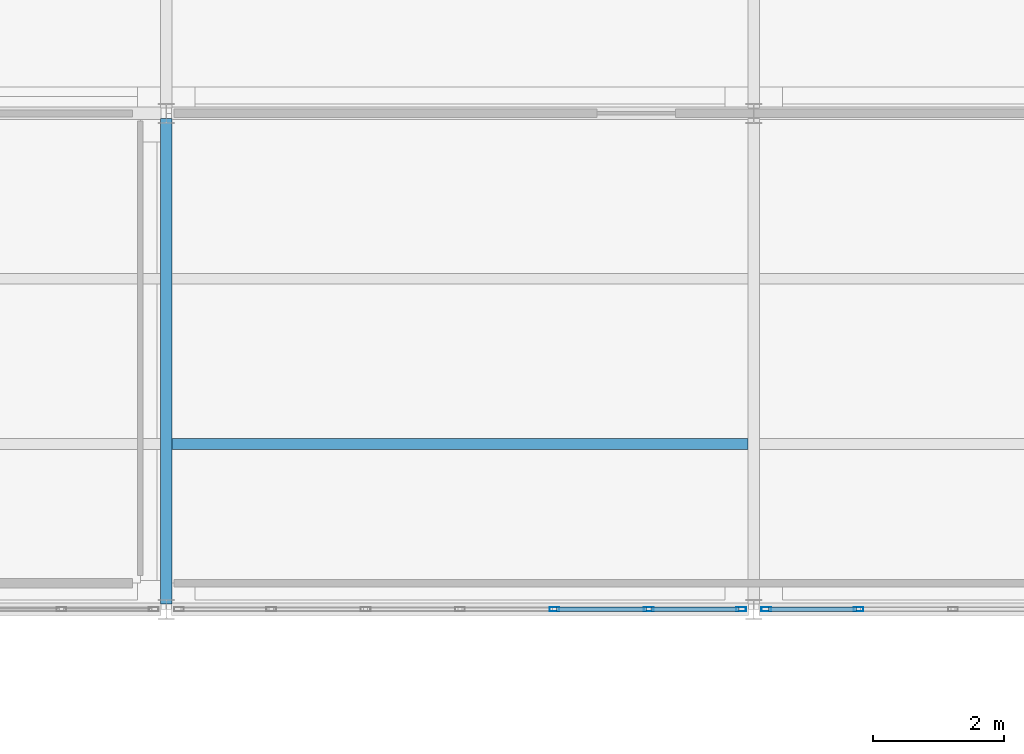
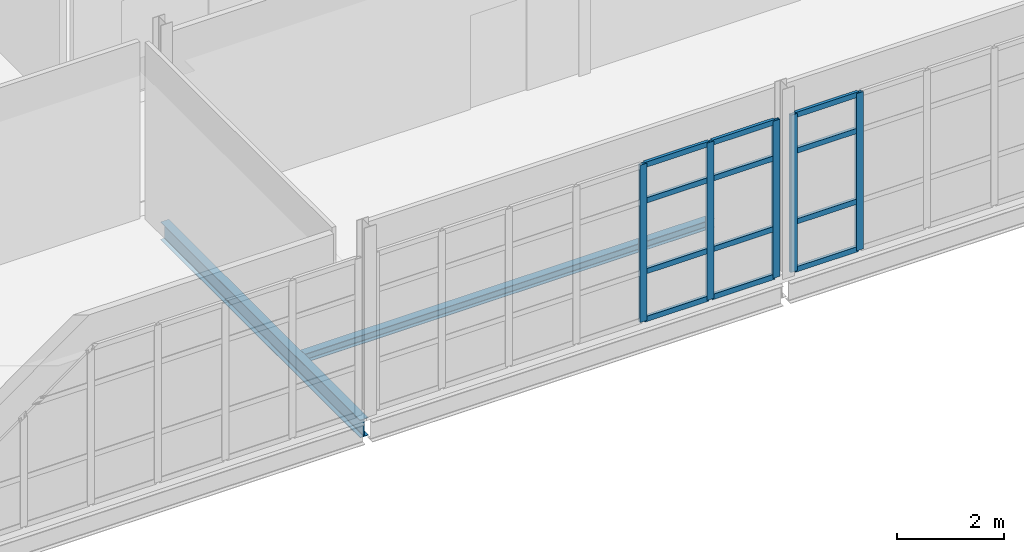
# One storey, part 68 of 174: 17 members, 2 beams, 2 elements without a shape of their own.
"""IFC4 building model written with IfcOpenShell, lengths in metres."""

import ifcopenshell
import ifcopenshell.guid

model = None  # the IFC model being written
_history = None  # IfcOwnerHistory: only IFC2X3 demands one
_inside = {}  # id of a spatial element -> (the spatial element, [elements in it])
_under = {}  # id of a project, library or spatial element -> (it, [spatial elements below it])
_declared = {}  # id of a project -> (the project, [libraries it declares])
_typed = {}  # id of a type object -> (the type object, [elements of that type])
_made_of = {}  # id of a material, layer set ... -> (it, [elements and type objects made of it])


def new_model(schema):
    """Start an empty IFC model of exactly this schema.

    Asked for "IFC4X3", IfcOpenShell would pick the latest addendum, in which some entities
    have other attributes; the version numbers below select the first issue.
    IFC2X3 requires an IfcOwnerHistory on every rooted entity: one is made here for all.
    """
    global model, _history
    if schema == "IFC4X3":
        model = ifcopenshell.file(schema_version=(4, 3, 0, 0))
    else:
        model = ifcopenshell.file(schema=schema)
    _inside.clear()
    _under.clear()
    _declared.clear()
    _typed.clear()
    _made_of.clear()
    _history = None
    if model.schema == "IFC2X3":
        org = make("IfcOrganization", Name="unknown")
        user = make(
            "IfcPersonAndOrganization",
            ThePerson=make("IfcPerson", FamilyName="unknown"),
            TheOrganization=org,
        )
        app = make(
            "IfcApplication",
            ApplicationDeveloper=org,
            Version="unknown",
            ApplicationFullName="unknown",
            ApplicationIdentifier="unknown",
        )
        _history = make(
            "IfcOwnerHistory",
            OwningUser=user,
            OwningApplication=app,
            ChangeAction="ADDED",
            CreationDate=0,
        )
    return model


def make(cls, **values):
    """One entity of the class cls with the attributes given. An attribute that is None is left unset."""
    return model.create_entity(
        cls, **{name: value for name, value in values.items() if value is not None}
    )


def rooted(cls, **values):
    """An entity with a GlobalId (a new one), such as an element, a storey or a relation."""
    return make(cls, GlobalId=ifcopenshell.guid.new(), OwnerHistory=_history, **values)


def si_unit(unit_type, name, prefix=None):
    """IfcSIUnit, for example si_unit("LENGTHUNIT", "METRE", prefix="MILLI")."""
    return make("IfcSIUnit", UnitType=unit_type, Prefix=prefix, Name=name)


def assignment(units):
    """IfcUnitAssignment: the units of a project."""
    return None if units is None else make("IfcUnitAssignment", Units=units)


def point(xyz):
    """IfcCartesianPoint."""
    return None if xyz is None else make("IfcCartesianPoint", Coordinates=xyz)


def direction(xyz):
    """IfcDirection."""
    return None if xyz is None else make("IfcDirection", DirectionRatios=xyz)


def frame(location, z_axis=None, x_axis=None):
    """IfcAxis2Placement3D, a coordinate frame: its origin and axes. An axis left out is left unset."""
    return make(
        "IfcAxis2Placement3D",
        Location=point(location),
        Axis=direction(z_axis),
        RefDirection=direction(x_axis),
    )


def frame_2d(location, x_axis=None):
    """IfcAxis2Placement2D, a coordinate frame in the plane: its origin and x axis."""
    return make(
        "IfcAxis2Placement2D", Location=point(location), RefDirection=direction(x_axis)
    )


def origin():
    """The frame at (0, 0, 0) with its axes left unset."""
    return frame((0.0, 0.0, 0.0))


def origin_2d():
    """The frame at (0, 0) in the plane with its x axis left unset."""
    return frame_2d((0.0, 0.0))


def place(relative_to, where):
    """IfcLocalPlacement: puts the frame where relative to a parent placement (None: the world)."""
    return make(
        "IfcLocalPlacement", PlacementRelTo=relative_to, RelativePlacement=where
    )


def context(
    kind, dimensions, precision=None, world=None, true_north=None, identifier=None
):
    """IfcGeometricRepresentationContext, for example the 3D "Model" context."""
    return make(
        "IfcGeometricRepresentationContext",
        ContextIdentifier=identifier,
        ContextType=kind,
        CoordinateSpaceDimension=dimensions,
        Precision=precision,
        WorldCoordinateSystem=world,
        TrueNorth=true_north,
    )


def subcontext(parent, identifier, kind, view, scale=None):
    """IfcGeometricRepresentationSubContext, for example "Body" below "Model"."""
    return make(
        "IfcGeometricRepresentationSubContext",
        ContextIdentifier=identifier,
        ContextType=kind,
        ParentContext=parent,
        TargetScale=scale,
        TargetView=view,
    )


def project(units=None, contexts=None):
    """IfcProject with its units and contexts."""
    return rooted(
        "IfcProject",
        Name="project",
        RepresentationContexts=contexts,
        UnitsInContext=assignment(units),
    )


def spatial(cls, under=None, at=None, **own):
    """A site, building, storey or space (cls), placed at a placement, below another one or the project."""
    s = rooted(cls, ObjectPlacement=at, **own)
    if under is not None:
        _under.setdefault(under.id(), (under, []))[1].append(s)
    return s


def profile(cls, at=None, kind="AREA", **sizes):
    """A parametric profile (cls). Its sizes go by their IFC names, for example OverallWidth=200.0."""
    return make(cls, ProfileType=kind, Position=at, **sizes)


def hollow_rectangle(**sizes):
    """IfcRectangleHollowProfileDef."""
    return profile("IfcRectangleHollowProfileDef", **sizes)


def i_section(**sizes):
    """IfcIShapeProfileDef."""
    return profile("IfcIShapeProfileDef", **sizes)


def extrude(swept, where, along, depth):
    """IfcExtrudedAreaSolid: the profile swept, set in the frame where, extruded along a direction by depth."""
    return make(
        "IfcExtrudedAreaSolid",
        SweptArea=swept,
        Position=where,
        ExtrudedDirection=direction(along),
        Depth=depth,
    )


def shape(context_of_items, identifier, shape_type, items):
    """IfcShapeRepresentation: the items that make up one representation, for example the "Body"."""
    return make(
        "IfcShapeRepresentation",
        ContextOfItems=context_of_items,
        RepresentationIdentifier=identifier,
        RepresentationType=shape_type,
        Items=items,
    )


def material(Name=None, Category=None):
    """IfcMaterial."""
    return make("IfcMaterial", Name=Name, Category=Category)


def material_profile(
    of_material, cross_section, Name=None, Category=None, Priority=None
):
    """IfcMaterialProfile: a cross section and its material."""
    return make(
        "IfcMaterialProfile",
        Name=Name,
        Material=of_material,
        Profile=cross_section,
        Priority=Priority,
        Category=Category,
    )


def profile_set(profiles, Name=None, composite=None):
    """IfcMaterialProfileSet."""
    return make(
        "IfcMaterialProfileSet",
        Name=Name,
        MaterialProfiles=profiles,
        CompositeProfile=composite,
    )


def made_of(thing, what):
    """Note that an element or type object is made of a material, layer set ...; save() writes the relation."""
    if what is not None:
        _made_of.setdefault(what.id(), (what, []))[1].append(thing)
    return thing


def type_object(cls, material=None, **own):
    """A type object (cls), such as IfcWallType, which elements share."""
    return made_of(rooted(cls, **own), material)


def element(
    cls,
    number,
    at=None,
    inside=None,
    cuts=None,
    type_object=None,
    material=None,
    context=None,
    identifier="Body",
    shape_type=None,
    held_by="IfcProductDefinitionShape",
    body=None,
    shapes=None,
    **own,
):
    """One element of the class cls, such as IfcWall. Its Tag is "e" and its number.

    at: its placement. inside: the storey or other place that contains it. cuts: it is an
    opening in that element (IfcRelVoidsElement). A single representation is given by context,
    identifier, shape_type and body (its items); several are given by shapes. held_by: the class
    of the entity that holds the representations. save() writes the other relations.
    """
    e = rooted(cls, Tag="e%d" % number, ObjectPlacement=at, **own)
    if body is not None:
        shapes = [shape(context, identifier, shape_type, body)]
    if shapes is not None:
        e.Representation = make(held_by, Representations=shapes)
    if inside is not None:
        _inside.setdefault(inside.id(), (inside, []))[1].append(e)
    if cuts is not None:
        rooted(
            "IfcRelVoidsElement", RelatingBuildingElement=cuts, RelatedOpeningElement=e
        )
    if type_object is not None:
        _typed.setdefault(type_object.id(), (type_object, []))[1].append(e)
    return made_of(e, material)


def aggregate(whole, parts):
    """IfcRelAggregates: a whole, such as a stair, and the parts it consists of."""
    return rooted("IfcRelAggregates", RelatingObject=whole, RelatedObjects=parts)


def save(model, path):
    """Write the relations noted so far, then the file.

    IfcRelAggregates (storeys below a building ...), IfcRelContainedInSpatialStructure (elements
    in a storey), IfcRelDefinesByType, IfcRelAssociatesMaterial and IfcRelDeclares: one each for
    every whole, place, type object, material and project.
    """
    for whole, parts in _under.values():
        aggregate(whole, parts)
    for where, things in _inside.values():
        rooted(
            "IfcRelContainedInSpatialStructure",
            RelatedElements=things,
            RelatingStructure=where,
        )
    for kind, things in _typed.values():
        rooted("IfcRelDefinesByType", RelatedObjects=things, RelatingType=kind)
    for what, things in _made_of.values():
        rooted("IfcRelAssociatesMaterial", RelatedObjects=things, RelatingMaterial=what)
    for by, libraries in _declared.values():
        rooted("IfcRelDeclares", RelatingContext=by, RelatedDefinitions=libraries)
    model.write(path)


model = new_model("IFC4")

# Units and contexts
model_context = context("Model", 3, precision=1e-05, world=origin(), true_north=direction((0.0, 1.0)))
body_context = subcontext(model_context, "Body", "Model", "MODEL_VIEW")
ifc_project = project(units=[si_unit("LENGTHUNIT", "METRE"), si_unit("AREAUNIT", "SQUARE_METRE"), si_unit("VOLUMEUNIT", "CUBIC_METRE"), si_unit("PLANEANGLEUNIT", "RADIAN"), si_unit("MASSUNIT", "GRAM", prefix="KILO")], contexts=[model_context])

# Site, building, storey
site_placement = place(None, origin())
site = spatial("IfcSite", under=ifc_project, at=site_placement, CompositionType="ELEMENT")
building_placement = place(site_placement, origin())
building = spatial("IfcBuilding", under=site, at=building_placement, Name="Caisbarro Railhouse Central Library", CompositionType="ELEMENT")
storey_placement = place(building_placement, frame((0.0, 0.0, 5.0400390625)))
storey = spatial("IfcBuildingStorey", under=building, at=storey_placement, Name="L01", CompositionType="ELEMENT", Elevation=5.0400390625)

# Beams
ifc_material_1 = material(Name="Steel ASTM A572 Grade 50", Category="steel")
ifc_material_profile_1 = material_profile(ifc_material_1, i_section(OverallWidth=0.177978515625, OverallDepth=0.406982421875, WebThickness=0.0078125, FlangeThickness=0.0126953125, FilletRadius=0.01611328125, at=origin_2d()), Name="W410X60.0")
ifc_profile_set_1 = profile_set([ifc_material_profile_1], Name="Steel ASTM A572 Grade 50")
beam_type_1 = type_object("IfcBeamType", Name="BM-G10", PredefinedType="BEAM", material=ifc_profile_set_1)
beam_1_placement = place(storey_placement, frame((18.0, 83.679931640625, -0.403564453125), z_axis=(0.0, 1.0, 0.0), x_axis=(-1.0, 0.0, 0.0)))
element("IfcBeam", 1, at=beam_1_placement, inside=storey, type_object=beam_type_1, Name="G10 beam L01 #1030", PredefinedType="BEAM", context=body_context, shape_type="SweptSolid", body=[
    extrude(i_section(OverallWidth=0.177978515625, OverallDepth=0.406982421875, WebThickness=0.0078125, FlangeThickness=0.0126953125, FilletRadius=0.01611328125, at=origin_2d()), origin(), (0.0, 0.0, 1.0), 7.440185546875),
])
ifc_material_profile_2 = material_profile(ifc_material_1, i_section(OverallWidth=0.1650390625, OverallDepth=0.200927734375, WebThickness=0.006103515625, FlangeThickness=0.01025390625, FilletRadius=0.010009765625, at=origin_2d()), Name="W200X35.9")
ifc_profile_set_2 = profile_set([ifc_material_profile_2], Name="Steel ASTM A572 Grade 50")
beam_type_2 = type_object("IfcBeamType", Name="BM-J06", PredefinedType="JOIST", material=ifc_profile_set_2)
beam_2_placement = place(storey_placement, frame((18.089111328125, 86.13330078125, -0.300537109375), z_axis=(1.0, 0.0, 0.0), x_axis=(0.0, 1.0, 0.0)))
element("IfcBeam", 2, at=beam_2_placement, inside=storey, type_object=beam_type_2, Name="J06 beam L01 #1047", PredefinedType="JOIST", context=body_context, shape_type="SweptSolid", body=[
    extrude(i_section(OverallWidth=0.1650390625, OverallDepth=0.200927734375, WebThickness=0.006103515625, FlangeThickness=0.01025390625, FilletRadius=0.010009765625, at=origin_2d()), origin(), (0.0, 0.0, 1.0), 8.82177734375),
])

# Curtain wall, members
ifc_material_2 = material(Name="Anodised architectural aluminium", Category="aluminium")
curtain_wall_type = type_object("IfcCurtainWallType", Name="CW-CW02", PredefinedType="NOTDEFINED", material=ifc_material_2)
curtain_wall_1_placement = place(storey_placement, origin())
curtain_wall_1 = element("IfcCurtainWall", 3, at=curtain_wall_1_placement, inside=storey, type_object=curtain_wall_type, Name="CW02 curtain wall L01 #81", PredefinedType="NOTDEFINED")
ifc_material_profile_3 = material_profile(ifc_material_2, hollow_rectangle(XDim=0.06494140625, YDim=0.14990234375, WallThickness=0.00390625, at=origin_2d()), Name="ALU-MUL-65X150")
ifc_profile_set_3 = profile_set([ifc_material_profile_3], Name="Anodised architectural aluminium")
member_type_1 = type_object("IfcMemberType", Name="CWM-M02", PredefinedType="MULLION", material=ifc_profile_set_3)
member_1_placement = place(storey_placement, frame((23.94677734375, 83.60009765625, 0.0), z_axis=(0.0, 0.0, 1.0), x_axis=(0.0, 1.0, 0.0)))
member_1 = element("IfcMember", 4, at=member_1_placement, type_object=member_type_1, Name="CW02 mullion 5", PredefinedType="MULLION", context=body_context, shape_type="SweptSolid", body=[
    extrude(hollow_rectangle(XDim=0.06494140625, YDim=0.14990234375, WallThickness=0.00390625, at=origin_2d()), origin(), (0.0, 0.0, 1.0), 3.580078125),
])
member_2_placement = place(storey_placement, frame((25.393310546875, 83.60009765625, 0.0), z_axis=(0.0, 0.0, 1.0), x_axis=(0.0, 1.0, 0.0)))
member_2 = element("IfcMember", 5, at=member_2_placement, type_object=member_type_1, Name="CW02 mullion 6", PredefinedType="MULLION", context=body_context, shape_type="SweptSolid", body=[
    extrude(hollow_rectangle(XDim=0.06494140625, YDim=0.14990234375, WallThickness=0.00390625, at=origin_2d()), origin(), (0.0, 0.0, 1.0), 3.580078125),
])
member_3_placement = place(storey_placement, frame((26.8076171875, 83.60009765625, 0.0), z_axis=(0.0, 0.0, 1.0), x_axis=(0.0, 1.0, 0.0)))
member_3 = element("IfcMember", 6, at=member_3_placement, type_object=member_type_1, Name="CW02 mullion 7", PredefinedType="MULLION", context=body_context, shape_type="SweptSolid", body=[
    extrude(hollow_rectangle(XDim=0.06494140625, YDim=0.14990234375, WallThickness=0.00390625, at=origin_2d()), origin(), (0.0, 0.0, 1.0), 3.580078125),
])

curtain_wall_2_placement = place(storey_placement, origin())
curtain_wall_2 = element("IfcCurtainWall", 7, at=curtain_wall_2_placement, inside=storey, type_object=curtain_wall_type, Name="CW02 curtain wall L01 #82", PredefinedType="NOTDEFINED")
member_4_placement = place(storey_placement, frame((27.1923828125, 83.60009765625, 0.0), z_axis=(0.0, 0.0, 1.0), x_axis=(0.0, 1.0, 0.0)))
member_4 = element("IfcMember", 8, at=member_4_placement, type_object=member_type_1, Name="CW02 mullion 1", PredefinedType="MULLION", context=body_context, shape_type="SweptSolid", body=[
    extrude(hollow_rectangle(XDim=0.06494140625, YDim=0.14990234375, WallThickness=0.00390625, at=origin_2d()), origin(), (0.0, 0.0, 1.0), 3.580078125),
])
member_5_placement = place(storey_placement, frame((28.606689453125, 83.60009765625, 0.0), z_axis=(0.0, 0.0, 1.0), x_axis=(0.0, 1.0, 0.0)))
member_5 = element("IfcMember", 9, at=member_5_placement, type_object=member_type_1, Name="CW02 mullion 2", PredefinedType="MULLION", context=body_context, shape_type="SweptSolid", body=[
    extrude(hollow_rectangle(XDim=0.06494140625, YDim=0.14990234375, WallThickness=0.00390625, at=origin_2d()), origin(), (0.0, 0.0, 1.0), 3.580078125),
])

# Member
ifc_material_profile_4 = material_profile(ifc_material_2, hollow_rectangle(XDim=0.06494140625, YDim=0.1201171875, WallThickness=0.00341796875, at=origin_2d()), Name="ALU-TRN-65X120")
ifc_profile_set_4 = profile_set([ifc_material_profile_4], Name="Anodised architectural aluminium")
member_type_2 = type_object("IfcMemberType", Name="CWT-T02", PredefinedType="USERDEFINED", material=ifc_profile_set_4)
member_6_placement = place(storey_placement, frame((23.979248046875, 83.60009765625, 0.032470703125), z_axis=(1.0, 0.0, 0.0), x_axis=(0.0, 1.0, 0.0)))
member_6 = element("IfcMember", 10, at=member_6_placement, type_object=member_type_2, Name="CW02 transom 5.1", ObjectType="TRANSOM", PredefinedType="USERDEFINED", context=body_context, shape_type="SweptSolid", body=[
    extrude(hollow_rectangle(XDim=0.06494140625, YDim=0.1201171875, WallThickness=0.00341796875, at=origin_2d()), origin(), (0.0, 0.0, 1.0), 1.381591796875),
])

member_7_placement = place(storey_placement, frame((23.979248046875, 83.60009765625, 1.119873046875), z_axis=(1.0, 0.0, 0.0), x_axis=(0.0, 1.0, 0.0)))
member_7 = element("IfcMember", 11, at=member_7_placement, type_object=member_type_2, Name="CW02 transom 5.2", ObjectType="TRANSOM", PredefinedType="USERDEFINED", context=body_context, shape_type="SweptSolid", body=[
    extrude(hollow_rectangle(XDim=0.06494140625, YDim=0.1201171875, WallThickness=0.00341796875, at=origin_2d()), origin(), (0.0, 0.0, 1.0), 1.381591796875),
])

member_8_placement = place(storey_placement, frame((23.979248046875, 83.60009765625, 2.72998046875), z_axis=(1.0, 0.0, 0.0), x_axis=(0.0, 1.0, 0.0)))
member_8 = element("IfcMember", 12, at=member_8_placement, type_object=member_type_2, Name="CW02 transom 5.3", ObjectType="TRANSOM", PredefinedType="USERDEFINED", context=body_context, shape_type="SweptSolid", body=[
    extrude(hollow_rectangle(XDim=0.06494140625, YDim=0.1201171875, WallThickness=0.00341796875, at=origin_2d()), origin(), (0.0, 0.0, 1.0), 1.381591796875),
])

member_9_placement = place(storey_placement, frame((23.979248046875, 83.60009765625, 3.54736328125), z_axis=(1.0, 0.0, 0.0), x_axis=(0.0, 1.0, 0.0)))
member_9 = element("IfcMember", 13, at=member_9_placement, type_object=member_type_2, Name="CW02 transom 5.4", ObjectType="TRANSOM", PredefinedType="USERDEFINED", context=body_context, shape_type="SweptSolid", body=[
    extrude(hollow_rectangle(XDim=0.06494140625, YDim=0.1201171875, WallThickness=0.00341796875, at=origin_2d()), origin(), (0.0, 0.0, 1.0), 1.381591796875),
])

member_10_placement = place(storey_placement, frame((25.42578125, 83.60009765625, 0.032470703125), z_axis=(1.0, 0.0, 0.0), x_axis=(0.0, 1.0, 0.0)))
member_10 = element("IfcMember", 14, at=member_10_placement, type_object=member_type_2, Name="CW02 transom 6.1", ObjectType="TRANSOM", PredefinedType="USERDEFINED", context=body_context, shape_type="SweptSolid", body=[
    extrude(hollow_rectangle(XDim=0.06494140625, YDim=0.1201171875, WallThickness=0.00341796875, at=origin_2d()), origin(), (0.0, 0.0, 1.0), 1.34912109375),
])

member_11_placement = place(storey_placement, frame((25.42578125, 83.60009765625, 1.119873046875), z_axis=(1.0, 0.0, 0.0), x_axis=(0.0, 1.0, 0.0)))
member_11 = element("IfcMember", 15, at=member_11_placement, type_object=member_type_2, Name="CW02 transom 6.2", ObjectType="TRANSOM", PredefinedType="USERDEFINED", context=body_context, shape_type="SweptSolid", body=[
    extrude(hollow_rectangle(XDim=0.06494140625, YDim=0.1201171875, WallThickness=0.00341796875, at=origin_2d()), origin(), (0.0, 0.0, 1.0), 1.34912109375),
])

member_12_placement = place(storey_placement, frame((25.42578125, 83.60009765625, 2.72998046875), z_axis=(1.0, 0.0, 0.0), x_axis=(0.0, 1.0, 0.0)))
member_12 = element("IfcMember", 16, at=member_12_placement, type_object=member_type_2, Name="CW02 transom 6.3", ObjectType="TRANSOM", PredefinedType="USERDEFINED", context=body_context, shape_type="SweptSolid", body=[
    extrude(hollow_rectangle(XDim=0.06494140625, YDim=0.1201171875, WallThickness=0.00341796875, at=origin_2d()), origin(), (0.0, 0.0, 1.0), 1.34912109375),
])

member_13_placement = place(storey_placement, frame((25.42578125, 83.60009765625, 3.54736328125), z_axis=(1.0, 0.0, 0.0), x_axis=(0.0, 1.0, 0.0)))
member_13 = element("IfcMember", 17, at=member_13_placement, type_object=member_type_2, Name="CW02 transom 6.4", ObjectType="TRANSOM", PredefinedType="USERDEFINED", context=body_context, shape_type="SweptSolid", body=[
    extrude(hollow_rectangle(XDim=0.06494140625, YDim=0.1201171875, WallThickness=0.00341796875, at=origin_2d()), origin(), (0.0, 0.0, 1.0), 1.34912109375),
])

aggregate(curtain_wall_1, [member_1, member_2, member_3, member_6, member_7, member_8, member_9, member_10, member_11, member_12, member_13])

member_14_placement = place(storey_placement, frame((27.22509765625, 83.60009765625, 0.032470703125), z_axis=(1.0, 0.0, 0.0), x_axis=(0.0, 1.0, 0.0)))
member_14 = element("IfcMember", 18, at=member_14_placement, type_object=member_type_2, Name="CW02 transom 1.1", ObjectType="TRANSOM", PredefinedType="USERDEFINED", context=body_context, shape_type="SweptSolid", body=[
    extrude(hollow_rectangle(XDim=0.06494140625, YDim=0.1201171875, WallThickness=0.00341796875, at=origin_2d()), origin(), (0.0, 0.0, 1.0), 1.34912109375),
])

member_15_placement = place(storey_placement, frame((27.22509765625, 83.60009765625, 1.119873046875), z_axis=(1.0, 0.0, 0.0), x_axis=(0.0, 1.0, 0.0)))
member_15 = element("IfcMember", 19, at=member_15_placement, type_object=member_type_2, Name="CW02 transom 1.2", ObjectType="TRANSOM", PredefinedType="USERDEFINED", context=body_context, shape_type="SweptSolid", body=[
    extrude(hollow_rectangle(XDim=0.06494140625, YDim=0.1201171875, WallThickness=0.00341796875, at=origin_2d()), origin(), (0.0, 0.0, 1.0), 1.34912109375),
])

member_16_placement = place(storey_placement, frame((27.22509765625, 83.60009765625, 2.72998046875), z_axis=(1.0, 0.0, 0.0), x_axis=(0.0, 1.0, 0.0)))
member_16 = element("IfcMember", 20, at=member_16_placement, type_object=member_type_2, Name="CW02 transom 1.3", ObjectType="TRANSOM", PredefinedType="USERDEFINED", context=body_context, shape_type="SweptSolid", body=[
    extrude(hollow_rectangle(XDim=0.06494140625, YDim=0.1201171875, WallThickness=0.00341796875, at=origin_2d()), origin(), (0.0, 0.0, 1.0), 1.34912109375),
])

member_17_placement = place(storey_placement, frame((27.22509765625, 83.60009765625, 3.54736328125), z_axis=(1.0, 0.0, 0.0), x_axis=(0.0, 1.0, 0.0)))
member_17 = element("IfcMember", 21, at=member_17_placement, type_object=member_type_2, Name="CW02 transom 1.4", ObjectType="TRANSOM", PredefinedType="USERDEFINED", context=body_context, shape_type="SweptSolid", body=[
    extrude(hollow_rectangle(XDim=0.06494140625, YDim=0.1201171875, WallThickness=0.00341796875, at=origin_2d()), origin(), (0.0, 0.0, 1.0), 1.34912109375),
])

aggregate(curtain_wall_2, [member_4, member_5, member_14, member_15, member_16, member_17])

save(model, "model.ifc")
